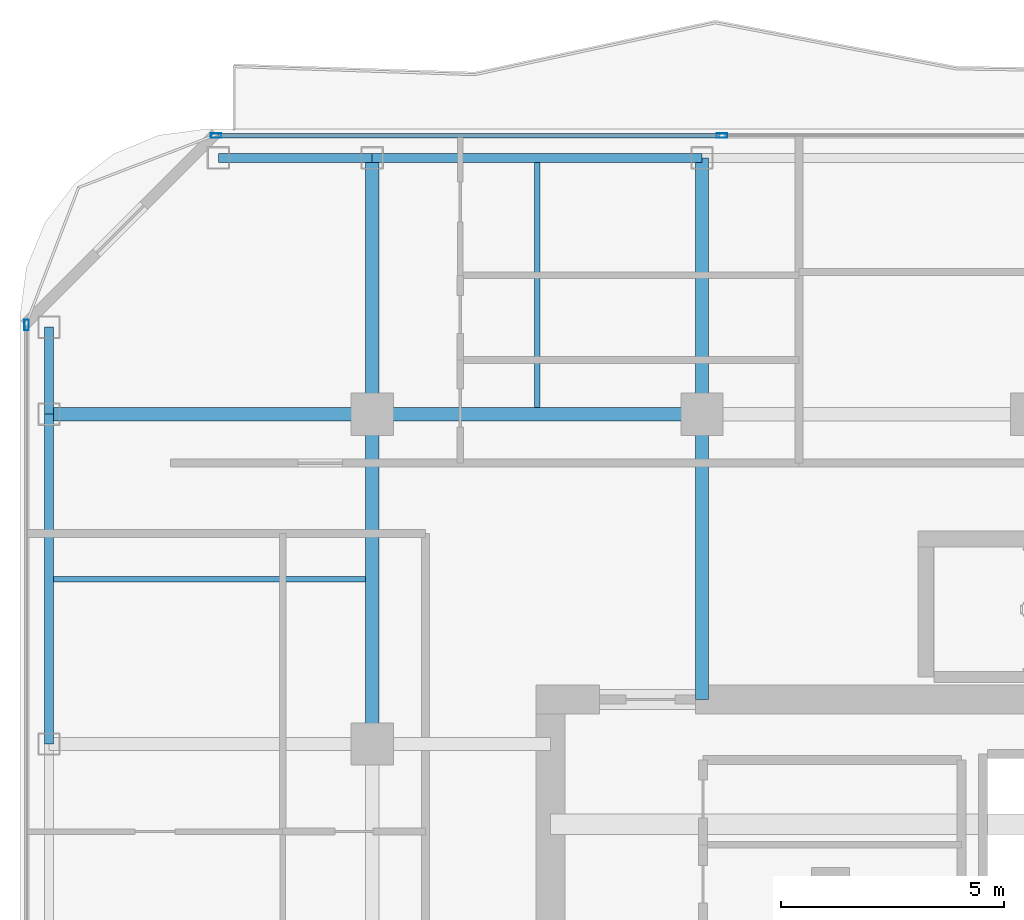
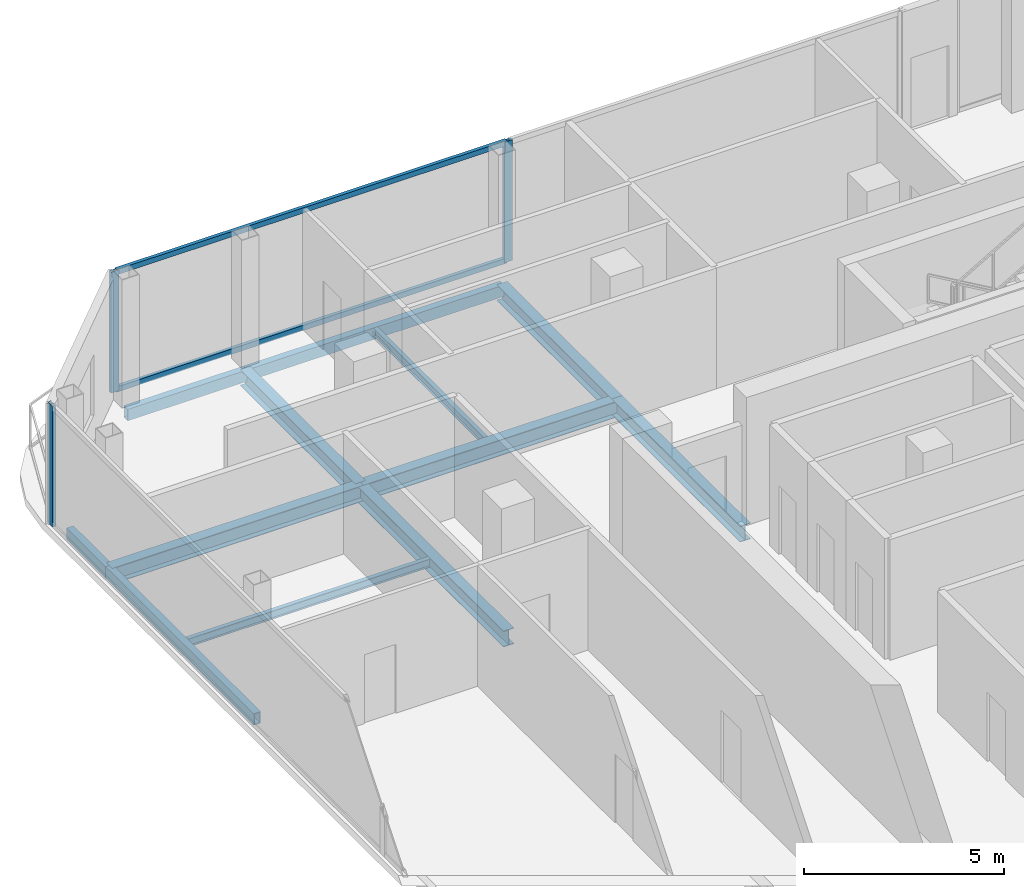
# One storey, part 11 of 22: 12 beams, 5 members, 2 elements without a shape of their own.
"""IFC4 building model written with IfcOpenShell, lengths in metres."""

from ifc_helpers import new_model, si_unit, direction, frame, origin, origin_2d, place, context, subcontext, project, spatial, hollow_rectangle, i_section, extrude, material, layer, layer_set, material_profile, profile_set, type_object, element, aggregate, save


model = new_model("IFC4")

# Units and contexts
model_context = context("Model", 3, precision=1e-05, world=origin(), true_north=direction((0.0, 1.0)))
body_context = subcontext(model_context, "Body", "Model", "MODEL_VIEW")
ifc_project = project(units=[si_unit("LENGTHUNIT", "METRE"), si_unit("AREAUNIT", "SQUARE_METRE"), si_unit("VOLUMEUNIT", "CUBIC_METRE"), si_unit("PLANEANGLEUNIT", "RADIAN"), si_unit("MASSUNIT", "GRAM", prefix="KILO")], contexts=[model_context])

# Site, building, storey
site_placement = place(None, origin())
site = spatial("IfcSite", under=ifc_project, at=site_placement, CompositionType="ELEMENT")
building_placement = place(site_placement, origin())
building = spatial("IfcBuilding", under=site, at=building_placement, Name="Khorvyn Point Tower", CompositionType="ELEMENT")
storey_placement = place(building_placement, frame((0.0, 0.0, 305.39990234375)))
storey = spatial("IfcBuildingStorey", under=building, at=storey_placement, Name="L75", CompositionType="ELEMENT", Elevation=305.39990234375)

# Curtain wall, members
ifc_material_1 = material(Name="Anodised aluminium 6063-T6 and laminated Low-E glass", Category="aluminium")
ifc_layer = layer(ifc_material_1, 0.18994140625)
ifc_layer_set = layer_set([ifc_layer], Name="Stick-Built High-Wind Curtain Wall CW-SYS-04")
curtain_wall_type = type_object("IfcCurtainWallType", Name="Stick-Built High-Wind Curtain Wall CW-SYS-04", PredefinedType="NOTDEFINED", material=ifc_layer_set)
curtain_wall_1_placement = place(storey_placement, origin())
curtain_wall_1 = element("IfcCurtainWall", 1, at=curtain_wall_1_placement, inside=storey, type_object=curtain_wall_type, Name="Curtain Wall", PredefinedType="NOTDEFINED")
ifc_material_2 = material(Name="Anodised aluminium 6063-T6", Category="aluminium")
ifc_material_profile_1 = material_profile(ifc_material_2, hollow_rectangle(XDim=0.10009765625, YDim=0.239990234375, WallThickness=0.0048828125, at=origin_2d()))
ifc_profile_set_1 = profile_set([ifc_material_profile_1], Name="Anodised aluminium 6063-T6 ALU-MUL-100x240")
member_type_1 = type_object("IfcMemberType", Name="Anodised Aluminium 6063-T6 Mullion ALU-MUL-100x240", PredefinedType="MULLION", material=ifc_profile_set_1)
member_1_placement = place(storey_placement, frame((-18.300048828125, 21.050048828125, 0.0), z_axis=(0.0, 0.0, 1.0), x_axis=(0.0, 1.0, 0.0)))
member_1 = element("IfcMember", 2, at=member_1_placement, type_object=member_type_1, Name="Transom", PredefinedType="MULLION", context=body_context, shape_type="SweptSolid", body=[
    extrude(hollow_rectangle(XDim=0.10009765625, YDim=0.239990234375, WallThickness=0.0048828125, at=origin_2d()), origin(), (0.0, 0.0, 1.0), 3.68017578125),
])
member_2_placement = place(storey_placement, frame((-6.952880859375, 21.050048828125, 0.0), z_axis=(0.0, 0.0, 1.0), x_axis=(0.0, 1.0, 0.0)))
member_2 = element("IfcMember", 3, at=member_2_placement, type_object=member_type_1, Name="Transom", PredefinedType="MULLION", context=body_context, shape_type="SweptSolid", body=[
    extrude(hollow_rectangle(XDim=0.10009765625, YDim=0.239990234375, WallThickness=0.0048828125, at=origin_2d()), origin(), (0.0, 0.0, 1.0), 3.68017578125),
])

# Curtain wall, member
curtain_wall_2_placement = place(storey_placement, origin())
curtain_wall_2 = element("IfcCurtainWall", 4, at=curtain_wall_2_placement, inside=storey, type_object=curtain_wall_type, Name="Curtain Wall", PredefinedType="NOTDEFINED")
member_3_placement = place(storey_placement, frame((-22.550048828125, 16.800048828125, 0.0), z_axis=(0.0, 0.0, 1.0), x_axis=(-1.0, 0.0, 0.0)))
member_3 = element("IfcMember", 5, at=member_3_placement, type_object=member_type_1, Name="Transom", PredefinedType="MULLION", context=body_context, shape_type="SweptSolid", body=[
    extrude(hollow_rectangle(XDim=0.10009765625, YDim=0.239990234375, WallThickness=0.0048828125, at=origin_2d()), origin(), (0.0, 0.0, 1.0), 3.68017578125),
])
aggregate(curtain_wall_2, [member_3])

# Member
ifc_material_profile_2 = material_profile(ifc_material_2, hollow_rectangle(XDim=0.10009765625, YDim=0.159912109375, WallThickness=0.00439453125, at=origin_2d()))
ifc_profile_set_2 = profile_set([ifc_material_profile_2], Name="Anodised aluminium 6063-T6 ALU-TRN-100x160")
member_type_2 = type_object("IfcMemberType", Name="Anodised Aluminium 6063-T6 Transom ALU-TRN-100x160", PredefinedType="USERDEFINED", material=ifc_profile_set_2)
member_4_placement = place(storey_placement, frame((-18.25, 21.050048828125, 0.050048828125), z_axis=(1.0, 0.0, 0.0), x_axis=(0.0, 1.0, 0.0)))
member_4 = element("IfcMember", 6, at=member_4_placement, type_object=member_type_2, Name="Transom", ObjectType="TRANSOM", PredefinedType="USERDEFINED", context=body_context, shape_type="SweptSolid", body=[
    extrude(hollow_rectangle(XDim=0.10009765625, YDim=0.159912109375, WallThickness=0.00439453125, at=origin_2d()), origin(), (0.0, 0.0, 1.0), 11.2470703125),
])

member_5_placement = place(storey_placement, frame((-18.25, 21.050048828125, 3.630126953125), z_axis=(1.0, 0.0, 0.0), x_axis=(0.0, 1.0, 0.0)))
member_5 = element("IfcMember", 7, at=member_5_placement, type_object=member_type_2, Name="Transom", ObjectType="TRANSOM", PredefinedType="USERDEFINED", context=body_context, shape_type="SweptSolid", body=[
    extrude(hollow_rectangle(XDim=0.10009765625, YDim=0.159912109375, WallThickness=0.00439453125, at=origin_2d()), origin(), (0.0, 0.0, 1.0), 11.2470703125),
])

aggregate(curtain_wall_1, [member_1, member_2, member_4, member_5])

# Beams
ifc_material_3 = material(Name="Steel S355", Category="steel")
ifc_material_profile_3 = material_profile(ifc_material_3, i_section(OverallWidth=0.125, OverallDepth=0.25, WebThickness=0.006103515625, FlangeThickness=0.009033203125, at=origin_2d()))
ifc_profile_set_3 = profile_set([ifc_material_profile_3], Name="Steel S355 H250x125x6x9")
beam_type_1 = type_object("IfcBeamType", Name="Steel S355 Joist H250x125x6x9", PredefinedType="JOIST", material=ifc_profile_set_3)
beam_1_placement = place(storey_placement, frame((-21.949951171875, 11.10009765625, -0.344970703125), z_axis=(1.0, 0.0, 0.0), x_axis=(0.0, 1.0, 0.0)))
element("IfcBeam", 8, at=beam_1_placement, inside=storey, type_object=beam_type_1, Name="Beam", PredefinedType="JOIST", context=body_context, shape_type="SweptSolid", body=[
    extrude(i_section(OverallWidth=0.125, OverallDepth=0.25, WebThickness=0.006103515625, FlangeThickness=0.009033203125, at=origin_2d()), origin(), (0.0, 0.0, 1.0), 7.0),
])
beam_2_placement = place(storey_placement, frame((-11.10009765625, 14.949951171875, -0.344970703125), z_axis=(0.0, 1.0, 0.0), x_axis=(-1.0, 0.0, 0.0)))
element("IfcBeam", 9, at=beam_2_placement, inside=storey, type_object=beam_type_1, Name="Beam", PredefinedType="JOIST", context=body_context, shape_type="SweptSolid", body=[
    extrude(i_section(OverallWidth=0.125, OverallDepth=0.25, WebThickness=0.006103515625, FlangeThickness=0.009033203125, at=origin_2d()), origin(), (0.0, 0.0, 1.0), 5.5),
])
ifc_material_profile_4 = material_profile(ifc_material_3, i_section(OverallWidth=0.300048828125, OverallDepth=0.488037109375, WebThickness=0.010986328125, FlangeThickness=0.01806640625, at=origin_2d()))
ifc_profile_set_4 = profile_set([ifc_material_profile_4], Name="Steel S355 H488x300x11x18")
beam_type_2 = type_object("IfcBeamType", Name="Steel S355 Spandrel H488x300x11x18", PredefinedType="SPANDREL", material=ifc_profile_set_4)
beam_3_placement = place(storey_placement, frame((-22.050048828125, 14.800048828125, -0.4638671875), z_axis=(1.0, 0.0, 0.0), x_axis=(0.0, 1.0, 0.0)))
element("IfcBeam", 10, at=beam_3_placement, inside=storey, type_object=beam_type_2, Name="Beam", PredefinedType="SPANDREL", context=body_context, shape_type="SweptSolid", body=[
    extrude(i_section(OverallWidth=0.300048828125, OverallDepth=0.488037109375, WebThickness=0.010986328125, FlangeThickness=0.01806640625, at=origin_2d()), origin(), (0.0, 0.0, 1.0), 7.25),
])
for number, where, z_axis, x_axis, name in (
    (11, (-14.800048828125, 14.800048828125, -0.4638671875), (1.0, 0.0, 0.0), (0.0, 1.0, 0.0), "Beam"),
    (12, (-14.800048828125, 7.39990234375, -0.4638671875), (0.0, 1.0, 0.0), (-1.0, 0.0, 0.0), "Beam"),
):
    element("IfcBeam", number, at=place(storey_placement, frame(where, z_axis=z_axis, x_axis=x_axis)), inside=storey, type_object=beam_type_2, Name=name, PredefinedType="SPANDREL", context=body_context, shape_type="SweptSolid", body=[
        extrude(i_section(OverallWidth=0.300048828125, OverallDepth=0.488037109375, WebThickness=0.010986328125, FlangeThickness=0.01806640625, at=origin_2d()), origin(), (0.0, 0.0, 1.0), 7.400146484375),
    ])
beam_4_placement = place(storey_placement, frame((-14.800048828125, 14.800048828125, -0.4638671875), z_axis=(0.0, 1.0, 0.0), x_axis=(-1.0, 0.0, 0.0)))
element("IfcBeam", 13, at=beam_4_placement, inside=storey, type_object=beam_type_2, Name="Beam", PredefinedType="SPANDREL", context=body_context, shape_type="SweptSolid", body=[
    extrude(i_section(OverallWidth=0.300048828125, OverallDepth=0.488037109375, WebThickness=0.010986328125, FlangeThickness=0.01806640625, at=origin_2d()), origin(), (0.0, 0.0, 1.0), 5.75),
])
beam_5_placement = place(storey_placement, frame((-7.39990234375, 8.39990234375, -0.4638671875), z_axis=(0.0, 1.0, 0.0), x_axis=(-1.0, 0.0, 0.0)))
element("IfcBeam", 14, at=beam_5_placement, inside=storey, type_object=beam_type_2, Name="Beam", PredefinedType="SPANDREL", context=body_context, shape_type="SweptSolid", body=[
    extrude(i_section(OverallWidth=0.300048828125, OverallDepth=0.488037109375, WebThickness=0.010986328125, FlangeThickness=0.01806640625, at=origin_2d()), origin(), (0.0, 0.0, 1.0), 6.400146484375),
])
beam_6_placement = place(storey_placement, frame((-7.39990234375, 14.800048828125, -0.4638671875), z_axis=(0.0, 1.0, 0.0), x_axis=(-1.0, 0.0, 0.0)))
element("IfcBeam", 15, at=beam_6_placement, inside=storey, type_object=beam_type_2, Name="Beam", PredefinedType="SPANDREL", context=body_context, shape_type="SweptSolid", body=[
    extrude(i_section(OverallWidth=0.300048828125, OverallDepth=0.488037109375, WebThickness=0.010986328125, FlangeThickness=0.01806640625, at=origin_2d()), origin(), (0.0, 0.0, 1.0), 5.75),
])
ifc_material_profile_5 = material_profile(ifc_material_3, hollow_rectangle(XDim=0.199951171875, YDim=0.35009765625, WallThickness=0.013916015625, at=origin_2d()))
ifc_profile_set_5 = profile_set([ifc_material_profile_5], Name="Steel S355 RHS350x200x14")
beam_type_3 = type_object("IfcBeamType", Name="Steel S355 Spandrel RHS350x200x14", PredefinedType="SPANDREL", material=ifc_profile_set_5)
beam_7_placement = place(storey_placement, frame((-18.25, 20.550048828125, -0.39501953125), z_axis=(1.0, 0.0, 0.0), x_axis=(0.0, 1.0, 0.0)))
element("IfcBeam", 16, at=beam_7_placement, inside=storey, type_object=beam_type_3, Name="Beam", PredefinedType="SPANDREL", context=body_context, shape_type="SweptSolid", body=[
    extrude(hollow_rectangle(XDim=0.199951171875, YDim=0.35009765625, WallThickness=0.013916015625, at=origin_2d()), origin(), (0.0, 0.0, 1.0), 3.449951171875),
])
for number, where, z_axis, x_axis, name in (
    (17, (-14.800048828125, 20.550048828125, -0.39501953125), (1.0, 0.0, 0.0), (0.0, 1.0, 0.0), "Beam"),
    (18, (-22.050048828125, 7.39990234375, -0.39501953125), (0.0, 1.0, 0.0), (-1.0, 0.0, 0.0), "Beam"),
):
    element("IfcBeam", number, at=place(storey_placement, frame(where, z_axis=z_axis, x_axis=x_axis)), inside=storey, type_object=beam_type_3, Name=name, PredefinedType="SPANDREL", context=body_context, shape_type="SweptSolid", body=[
        extrude(hollow_rectangle(XDim=0.199951171875, YDim=0.35009765625, WallThickness=0.013916015625, at=origin_2d()), origin(), (0.0, 0.0, 1.0), 7.400146484375),
    ])
beam_8_placement = place(storey_placement, frame((-22.050048828125, 14.800048828125, -0.39501953125), z_axis=(0.0, 1.0, 0.0), x_axis=(-1.0, 0.0, 0.0)))
element("IfcBeam", 19, at=beam_8_placement, inside=storey, type_object=beam_type_3, Name="Beam", PredefinedType="SPANDREL", context=body_context, shape_type="SweptSolid", body=[
    extrude(hollow_rectangle(XDim=0.199951171875, YDim=0.35009765625, WallThickness=0.013916015625, at=origin_2d()), origin(), (0.0, 0.0, 1.0), 1.949951171875),
])

save(model, "model.ifc")
